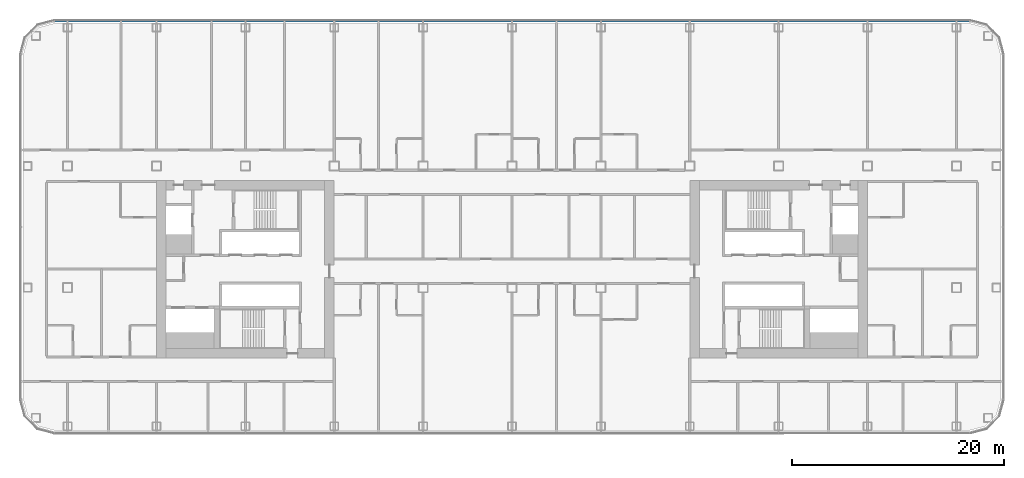
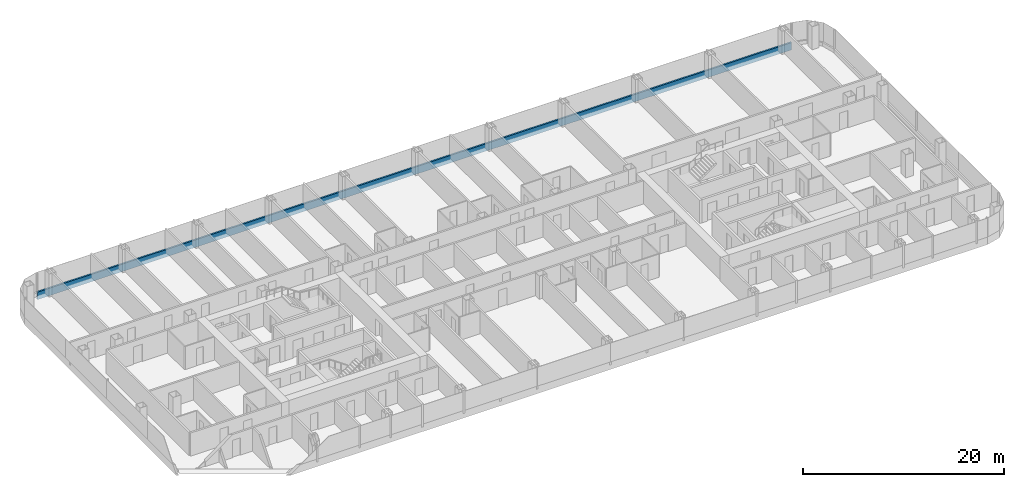
# One storey, part 9 of 29: 1 member, 1 element without a shape of its own.
"""IFC4 building model written with IfcOpenShell, lengths in metres."""

from ifc_helpers import new_model, si_unit, direction, frame, origin, origin_2d, place, context, subcontext, project, spatial, rectangle, extrude, material, layer, layer_set, material_profile, profile_set, type_object, element, aggregate, save


model = new_model("IFC4")

# Units and contexts
model_context = context("Model", 3, precision=1e-05, world=origin(), true_north=direction((0.0, 1.0)))
body_context = subcontext(model_context, "Body", "Model", "MODEL_VIEW")
ifc_project = project(units=[si_unit("LENGTHUNIT", "METRE"), si_unit("AREAUNIT", "SQUARE_METRE"), si_unit("VOLUMEUNIT", "CUBIC_METRE"), si_unit("PLANEANGLEUNIT", "RADIAN"), si_unit("MASSUNIT", "GRAM", prefix="KILO")], contexts=[model_context])

# Site, building, storey
site_placement = place(None, origin())
site = spatial("IfcSite", under=ifc_project, at=site_placement, CompositionType="ELEMENT")
building_placement = place(site_placement, origin())
building = spatial("IfcBuilding", under=site, at=building_placement, Name="Hakoniwa Tower and Hamabe Station Hall", CompositionType="ELEMENT")
storey_placement = place(building_placement, frame((0.0, 0.0, 85.0)))
storey = spatial("IfcBuildingStorey", under=building, at=storey_placement, Name="L23", CompositionType="ELEMENT", Elevation=85.0)

# Curtain wall, member
ifc_material_1 = material(Name="Dark low-e laminated glass", Category="glass")
ifc_layer = layer(ifc_material_1, 0.199951171875)
ifc_layer_set = layer_set([ifc_layer], Name="CW-1 UNITISED GUEST")
curtain_wall_type = type_object("IfcCurtainWallType", Name="CW-1 UNITISED GUEST", PredefinedType="NOTDEFINED", material=ifc_layer_set)
curtain_wall_placement = place(storey_placement, origin())
curtain_wall = element("IfcCurtainWall", 1, at=curtain_wall_placement, inside=storey, type_object=curtain_wall_type, Name="CW-1 curtain wall", PredefinedType="NOTDEFINED")
ifc_material_2 = material(Name="Aluminium 6063-T5 black anodised", Category="aluminium")
ifc_material_profile = material_profile(ifc_material_2, rectangle(XDim=0.199951171875, YDim=0.89990234375, at=origin_2d()), Name="CW SLAB-EDGE BAND 900X200")
ifc_profile_set = profile_set([ifc_material_profile], Name="Aluminium 6063-T5 black anodised")
member_type = type_object("IfcMemberType", Name="CW SLAB-EDGE BAND 900X200", PredefinedType="USERDEFINED", material=ifc_profile_set)
member_placement = place(storey_placement, frame((43.239501953125, 23.449951171875, -0.10009765625), z_axis=(-1.0, 0.0, 0.0), x_axis=(0.0, -1.0, 0.0)))
member = element("IfcMember", 2, at=member_placement, type_object=member_type, Name="CW-1 transom", ObjectType="TRANSOM", PredefinedType="USERDEFINED", context=body_context, shape_type="SweptSolid", body=[
    extrude(rectangle(XDim=0.199951171875, YDim=0.89990234375, at=origin_2d()), origin(), (0.0, 0.0, 1.0), 86.47900390625),
])
aggregate(curtain_wall, [member])

save(model, "model.ifc")
